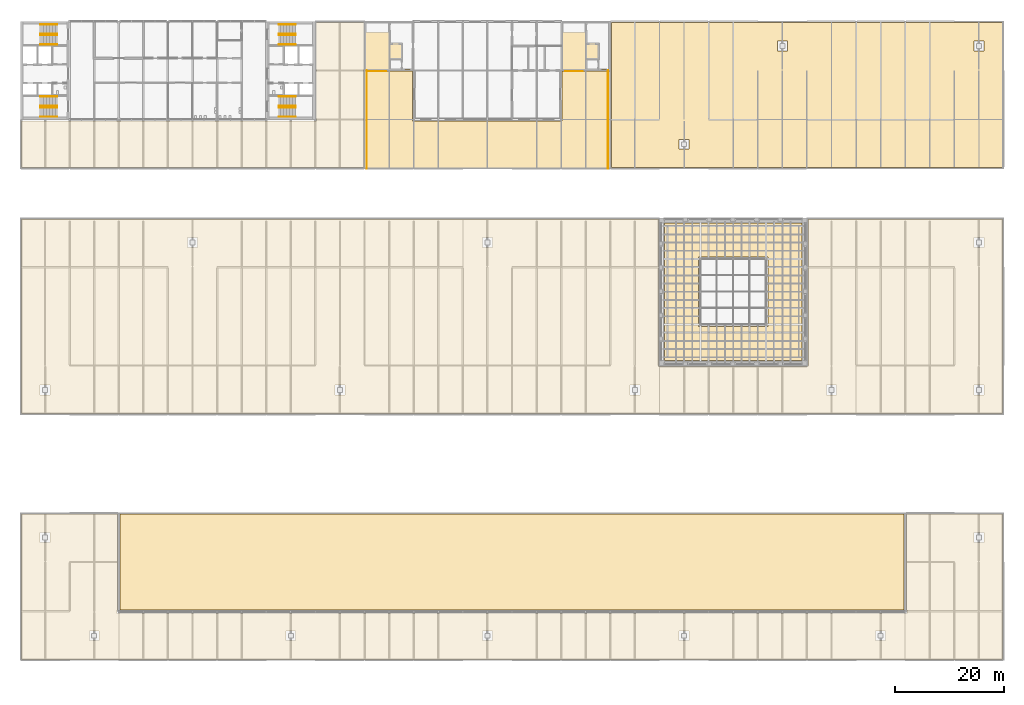
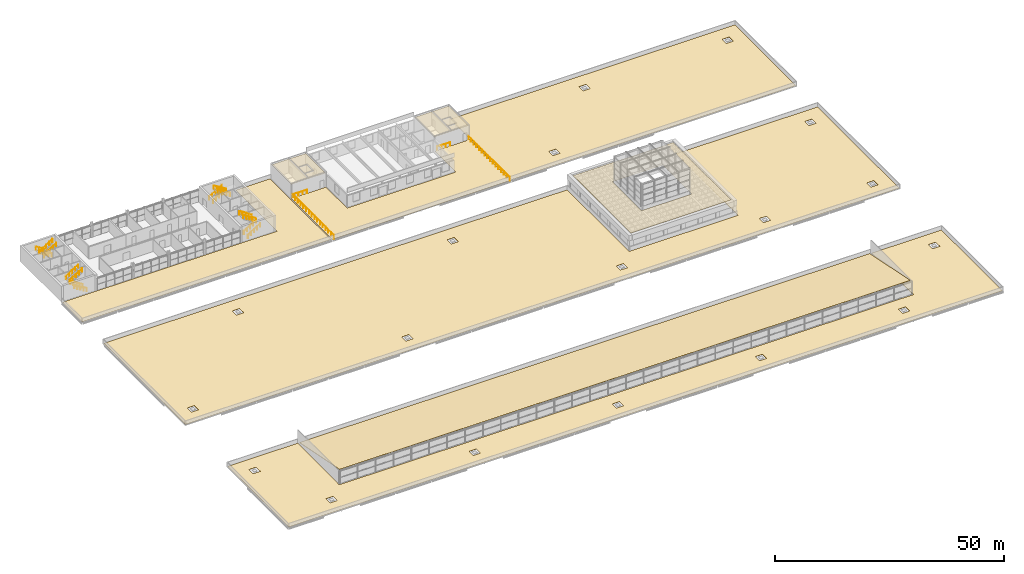
# One storey, part 49 of 50: 20 railings, 9 coverings.
"""IFC4 building model written with IfcOpenShell, lengths in metres."""

from ifc_helpers import new_model, si_unit, direction, frame, origin, origin_2d, place, context, subcontext, project, spatial, polyline, circle, outline, extrude, material, layer, layer_set, type_object, element, save


model = new_model("IFC4")

# Units and contexts
model_context = context("Model", 3, precision=1e-05, world=origin(), true_north=direction((0.0, 1.0)))
body_context = subcontext(model_context, "Body", "Model", "MODEL_VIEW")
ifc_project = project(units=[si_unit("LENGTHUNIT", "METRE"), si_unit("AREAUNIT", "SQUARE_METRE"), si_unit("VOLUMEUNIT", "CUBIC_METRE"), si_unit("PLANEANGLEUNIT", "RADIAN"), si_unit("MASSUNIT", "GRAM", prefix="KILO")], contexts=[model_context])

# Site, building, storey
site_placement = place(None, origin())
site = spatial("IfcSite", under=ifc_project, at=site_placement, CompositionType="ELEMENT")
building_placement = place(site_placement, origin())
building = spatial("IfcBuilding", under=site, at=building_placement, Name="Corbel Yard City Hall", CompositionType="ELEMENT")
storey_placement = place(building_placement, frame((0.0, 0.0, 15.0)))
storey = spatial("IfcBuildingStorey", under=building, at=storey_placement, Name="L03", CompositionType="ELEMENT", Elevation=15.0)

# Covering
ifc_material_1 = material(Name="Porcelain paving tiles", Category="ceramic")
ifc_layer_1 = layer(ifc_material_1, 0.0400390625)
ifc_layer_set_1 = layer_set([ifc_layer_1], Name="Porcelain paving tiles")
covering_type_1 = type_object("IfcCoveringType", Name="CL1", PredefinedType="FLOORING", material=ifc_layer_set_1)
covering_1_placement = place(storey_placement, origin())
element("IfcCovering", 1, at=covering_1_placement, inside=storey, type_object=covering_type_1, Name="Terrace paving", PredefinedType="FLOORING", context=body_context, shape_type="SweptSolid", body=[
    extrude(outline(polyline([(107.949951171875, 90.050048828125), (63.050048828125, 90.050048828125), (63.050048828125, 107.949951171875), (71.800048828125, 107.949951171875), (71.800048828125, 98.800048828125), (99.199951171875, 98.800048828125), (99.199951171875, 107.949951171875), (107.949951171875, 107.949951171875), (107.949951171875, 90.050048828125)])), origin(), (0.0, 0.0, 1.0), 0.0400390625),
])

# Railings
ifc_material_2 = material(Name="Stainless steel Grade 316", Category="steel")
railing_type_1 = type_object("IfcRailingType", Name="GD1", PredefinedType="GUARDRAIL", material=ifc_material_2)
railing_1_placement = place(storey_placement, frame((63.39990234375, 108.0, 0.0400390625)))
element("IfcRailing", 2, at=railing_1_placement, inside=storey, type_object=railing_type_1, Name="Terrace guard", PredefinedType="GUARDRAIL", context=body_context, shape_type="SweptSolid", body=[
    extrude(circle(Radius=0.02490234375, at=origin_2d()), frame((0.0, 0.0, 1.0751953125), z_axis=(0.0, -1.0, 0.0), x_axis=(1.0, 0.0, 0.0)), (0.0, 0.0, 1.0), 18.0),
    extrude(circle(Radius=0.02001953125, at=origin_2d()), origin(), (0.0, 0.0, 1.0), 1.050048828125),
    extrude(circle(Radius=0.02001953125, at=origin_2d()), frame((0.0, -1.199951171875, 0.0)), (0.0, 0.0, 1.0), 1.050048828125),
    extrude(circle(Radius=0.02001953125, at=origin_2d()), frame((0.0, -2.39990234375, 0.0)), (0.0, 0.0, 1.0), 1.050048828125),
    extrude(circle(Radius=0.02001953125, at=origin_2d()), frame((0.0, -3.60009765625, 0.0)), (0.0, 0.0, 1.0), 1.050048828125),
    extrude(circle(Radius=0.02001953125, at=origin_2d()), frame((0.0, -4.800048828125, 0.0)), (0.0, 0.0, 1.0), 1.050048828125),
    extrude(circle(Radius=0.02001953125, at=origin_2d()), frame((0.0, -6.0, 0.0)), (0.0, 0.0, 1.0), 1.050048828125),
    extrude(circle(Radius=0.02001953125, at=origin_2d()), frame((0.0, -7.199951171875, 0.0)), (0.0, 0.0, 1.0), 1.050048828125),
    extrude(circle(Radius=0.02001953125, at=origin_2d()), frame((0.0, -8.39990234375, 0.0)), (0.0, 0.0, 1.0), 1.050048828125),
    extrude(circle(Radius=0.02001953125, at=origin_2d()), frame((0.0, -9.60009765625, 0.0)), (0.0, 0.0, 1.0), 1.050048828125),
    extrude(circle(Radius=0.02001953125, at=origin_2d()), frame((0.0, -10.800048828125, 0.0)), (0.0, 0.0, 1.0), 1.050048828125),
    extrude(circle(Radius=0.02001953125, at=origin_2d()), frame((0.0, -12.0, 0.0)), (0.0, 0.0, 1.0), 1.050048828125),
    extrude(circle(Radius=0.02001953125, at=origin_2d()), frame((0.0, -13.199951171875, 0.0)), (0.0, 0.0, 1.0), 1.050048828125),
    extrude(circle(Radius=0.02001953125, at=origin_2d()), frame((0.0, -14.39990234375, 0.0)), (0.0, 0.0, 1.0), 1.050048828125),
    extrude(circle(Radius=0.02001953125, at=origin_2d()), frame((0.0, -15.60009765625, 0.0)), (0.0, 0.0, 1.0), 1.050048828125),
    extrude(circle(Radius=0.02001953125, at=origin_2d()), frame((0.0, -16.800048828125, 0.0)), (0.0, 0.0, 1.0), 1.050048828125),
    extrude(circle(Radius=0.02001953125, at=origin_2d()), frame((0.0, -18.0, 0.0)), (0.0, 0.0, 1.0), 1.050048828125),
])
railing_2_placement = place(storey_placement, frame((107.60009765625, 90.0, 0.0400390625)))
element("IfcRailing", 3, at=railing_2_placement, inside=storey, type_object=railing_type_1, Name="Terrace guard", PredefinedType="GUARDRAIL", context=body_context, shape_type="SweptSolid", body=[
    extrude(circle(Radius=0.02490234375, at=origin_2d()), frame((0.0, 0.0, 1.0751953125), z_axis=(0.0, 1.0, 0.0), x_axis=(-1.0, 0.0, 0.0)), (0.0, 0.0, 1.0), 18.0),
    extrude(circle(Radius=0.02001953125, at=origin_2d()), origin(), (0.0, 0.0, 1.0), 1.050048828125),
    extrude(circle(Radius=0.02001953125, at=origin_2d()), frame((0.0, 1.199951171875, 0.0)), (0.0, 0.0, 1.0), 1.050048828125),
    extrude(circle(Radius=0.02001953125, at=origin_2d()), frame((0.0, 2.39990234375, 0.0)), (0.0, 0.0, 1.0), 1.050048828125),
    extrude(circle(Radius=0.02001953125, at=origin_2d()), frame((0.0, 3.60009765625, 0.0)), (0.0, 0.0, 1.0), 1.050048828125),
    extrude(circle(Radius=0.02001953125, at=origin_2d()), frame((0.0, 4.800048828125, 0.0)), (0.0, 0.0, 1.0), 1.050048828125),
    extrude(circle(Radius=0.02001953125, at=origin_2d()), frame((0.0, 6.0, 0.0)), (0.0, 0.0, 1.0), 1.050048828125),
    extrude(circle(Radius=0.02001953125, at=origin_2d()), frame((0.0, 7.199951171875, 0.0)), (0.0, 0.0, 1.0), 1.050048828125),
    extrude(circle(Radius=0.02001953125, at=origin_2d()), frame((0.0, 8.39990234375, 0.0)), (0.0, 0.0, 1.0), 1.050048828125),
    extrude(circle(Radius=0.02001953125, at=origin_2d()), frame((0.0, 9.60009765625, 0.0)), (0.0, 0.0, 1.0), 1.050048828125),
    extrude(circle(Radius=0.02001953125, at=origin_2d()), frame((0.0, 10.800048828125, 0.0)), (0.0, 0.0, 1.0), 1.050048828125),
    extrude(circle(Radius=0.02001953125, at=origin_2d()), frame((0.0, 12.0, 0.0)), (0.0, 0.0, 1.0), 1.050048828125),
    extrude(circle(Radius=0.02001953125, at=origin_2d()), frame((0.0, 13.199951171875, 0.0)), (0.0, 0.0, 1.0), 1.050048828125),
    extrude(circle(Radius=0.02001953125, at=origin_2d()), frame((0.0, 14.39990234375, 0.0)), (0.0, 0.0, 1.0), 1.050048828125),
    extrude(circle(Radius=0.02001953125, at=origin_2d()), frame((0.0, 15.60009765625, 0.0)), (0.0, 0.0, 1.0), 1.050048828125),
    extrude(circle(Radius=0.02001953125, at=origin_2d()), frame((0.0, 16.800048828125, 0.0)), (0.0, 0.0, 1.0), 1.050048828125),
    extrude(circle(Radius=0.02001953125, at=origin_2d()), frame((0.0, 18.0, 0.0)), (0.0, 0.0, 1.0), 1.050048828125),
])
for number, where, name in (
    (4, (63.75, 107.85009765625, 0.0400390625), "Terrace guard"),
    (5, (99.75, 107.85009765625, 0.0400390625), "Terrace guard"),
):
    element("IfcRailing", number, at=place(storey_placement, frame(where)), inside=storey, type_object=railing_type_1, Name=name, PredefinedType="GUARDRAIL", context=body_context, shape_type="SweptSolid", body=[
        extrude(circle(Radius=0.02490234375, at=origin_2d()), frame((0.0, 0.0, 1.0751953125), z_axis=(1.0, 0.0, 0.0), x_axis=(0.0, 1.0, 0.0)), (0.0, 0.0, 1.0), 3.199951171875),
        extrude(circle(Radius=0.02001953125, at=origin_2d()), origin(), (0.0, 0.0, 1.0), 1.050048828125),
        extrude(circle(Radius=0.02001953125, at=origin_2d()), frame((1.066650390625, 0.0, 0.0)), (0.0, 0.0, 1.0), 1.050048828125),
        extrude(circle(Radius=0.02001953125, at=origin_2d()), frame((2.13330078125, 0.0, 0.0)), (0.0, 0.0, 1.0), 1.050048828125),
        extrude(circle(Radius=0.02001953125, at=origin_2d()), frame((3.199951171875, 0.0, 0.0)), (0.0, 0.0, 1.0), 1.050048828125),
    ])
railing_type_2 = type_object("IfcRailingType", Name="HR1", PredefinedType="HANDRAIL", material=ifc_material_2)
for number, where, name in (
    (6, (6.699951171875, 99.550048828125, 0.175048828125), "Exit stair ST-W1 handrail"),
    (7, (6.699951171875, 101.25, 0.175048828125), "Exit stair ST-W1 handrail"),
):
    element("IfcRailing", number, at=place(storey_placement, frame(where)), inside=storey, type_object=railing_type_2, Name=name, PredefinedType="HANDRAIL", context=body_context, shape_type="SweptSolid", body=[
        extrude(circle(Radius=0.02392578125, at=origin_2d()), frame((0.0, 0.0, 0.8759765625), z_axis=(-0.847979421464, 0.0, 0.530029150871), x_axis=(0.0, -1.0, 0.0)), (0.0, 0.0, 1.0), 3.632080078125),
        extrude(circle(Radius=0.02099609375, at=origin_2d()), origin(), (0.0, 0.0, 1.0), 0.851806640625),
        extrude(circle(Radius=0.02099609375, at=origin_2d()), frame((-0.77001953125, 0.0, 0.481201171875)), (0.0, 0.0, 1.0), 0.851806640625),
        extrude(circle(Radius=0.02099609375, at=origin_2d()), frame((-1.5400390625, 0.0, 0.96240234375)), (0.0, 0.0, 1.0), 0.851806640625),
        extrude(circle(Radius=0.02099609375, at=origin_2d()), frame((-2.309814453125, 0.0, 1.44384765625)), (0.0, 0.0, 1.0), 0.851806640625),
        extrude(circle(Radius=0.02099609375, at=origin_2d()), frame((-3.079833984375, 0.0, 1.925048828125)), (0.0, 0.0, 1.0), 0.851806640625),
    ])
for number, where, name in (
    (8, (3.6201171875, 101.550048828125, 2.27490234375), "Exit stair ST-W1 handrail"),
    (9, (3.6201171875, 103.25, 2.27490234375), "Exit stair ST-W1 handrail"),
):
    element("IfcRailing", number, at=place(storey_placement, frame(where)), inside=storey, type_object=railing_type_2, Name=name, PredefinedType="HANDRAIL", context=body_context, shape_type="SweptSolid", body=[
        extrude(circle(Radius=0.02392578125, at=origin_2d()), frame((0.0, 0.0, 0.8759765625), z_axis=(0.847979421464, 0.0, 0.530029150871), x_axis=(0.0, 1.0, 0.0)), (0.0, 0.0, 1.0), 3.632080078125),
        extrude(circle(Radius=0.02099609375, at=origin_2d()), origin(), (0.0, 0.0, 1.0), 0.851806640625),
        extrude(circle(Radius=0.02099609375, at=origin_2d()), frame((0.77001953125, 0.0, 0.481201171875)), (0.0, 0.0, 1.0), 0.851806640625),
        extrude(circle(Radius=0.02099609375, at=origin_2d()), frame((1.5400390625, 0.0, 0.96240234375)), (0.0, 0.0, 1.0), 0.851806640625),
        extrude(circle(Radius=0.02099609375, at=origin_2d()), frame((2.309814453125, 0.0, 1.44384765625)), (0.0, 0.0, 1.0), 0.851806640625),
        extrude(circle(Radius=0.02099609375, at=origin_2d()), frame((3.079833984375, 0.0, 1.925048828125)), (0.0, 0.0, 1.0), 0.851806640625),
    ])
for number, where, name in (
    (10, (6.699951171875, 116.449951171875, 0.175048828125), "Exit stair ST-W2 handrail"),
    (11, (6.699951171875, 114.75, 0.175048828125), "Exit stair ST-W2 handrail"),
):
    element("IfcRailing", number, at=place(storey_placement, frame(where)), inside=storey, type_object=railing_type_2, Name=name, PredefinedType="HANDRAIL", context=body_context, shape_type="SweptSolid", body=[
        extrude(circle(Radius=0.02392578125, at=origin_2d()), frame((0.0, 0.0, 0.8759765625), z_axis=(-0.847979421464, 0.0, 0.530029150871), x_axis=(0.0, -1.0, 0.0)), (0.0, 0.0, 1.0), 3.632080078125),
        extrude(circle(Radius=0.02099609375, at=origin_2d()), origin(), (0.0, 0.0, 1.0), 0.851806640625),
        extrude(circle(Radius=0.02099609375, at=origin_2d()), frame((-0.77001953125, 0.0, 0.481201171875)), (0.0, 0.0, 1.0), 0.851806640625),
        extrude(circle(Radius=0.02099609375, at=origin_2d()), frame((-1.5400390625, 0.0, 0.96240234375)), (0.0, 0.0, 1.0), 0.851806640625),
        extrude(circle(Radius=0.02099609375, at=origin_2d()), frame((-2.309814453125, 0.0, 1.44384765625)), (0.0, 0.0, 1.0), 0.851806640625),
        extrude(circle(Radius=0.02099609375, at=origin_2d()), frame((-3.079833984375, 0.0, 1.925048828125)), (0.0, 0.0, 1.0), 0.851806640625),
    ])
for number, where, name in (
    (12, (3.6201171875, 114.449951171875, 2.27490234375), "Exit stair ST-W2 handrail"),
    (13, (3.6201171875, 112.75, 2.27490234375), "Exit stair ST-W2 handrail"),
    (14, (47.300048828125, 99.550048828125, 0.175048828125), "Exit stair ST-E1 handrail"),
    (15, (47.300048828125, 101.25, 0.175048828125), "Exit stair ST-E1 handrail"),
):
    element("IfcRailing", number, at=place(storey_placement, frame(where)), inside=storey, type_object=railing_type_2, Name=name, PredefinedType="HANDRAIL", context=body_context, shape_type="SweptSolid", body=[
        extrude(circle(Radius=0.02392578125, at=origin_2d()), frame((0.0, 0.0, 0.8759765625), z_axis=(0.847979421464, 0.0, 0.530029150871), x_axis=(0.0, 1.0, 0.0)), (0.0, 0.0, 1.0), 3.632080078125),
        extrude(circle(Radius=0.02099609375, at=origin_2d()), origin(), (0.0, 0.0, 1.0), 0.851806640625),
        extrude(circle(Radius=0.02099609375, at=origin_2d()), frame((0.77001953125, 0.0, 0.481201171875)), (0.0, 0.0, 1.0), 0.851806640625),
        extrude(circle(Radius=0.02099609375, at=origin_2d()), frame((1.5400390625, 0.0, 0.96240234375)), (0.0, 0.0, 1.0), 0.851806640625),
        extrude(circle(Radius=0.02099609375, at=origin_2d()), frame((2.309814453125, 0.0, 1.44384765625)), (0.0, 0.0, 1.0), 0.851806640625),
        extrude(circle(Radius=0.02099609375, at=origin_2d()), frame((3.079833984375, 0.0, 1.925048828125)), (0.0, 0.0, 1.0), 0.851806640625),
    ])
for number, where, name in (
    (16, (50.3798828125, 101.550048828125, 2.27490234375), "Exit stair ST-E1 handrail"),
    (17, (50.3798828125, 103.25, 2.27490234375), "Exit stair ST-E1 handrail"),
):
    element("IfcRailing", number, at=place(storey_placement, frame(where)), inside=storey, type_object=railing_type_2, Name=name, PredefinedType="HANDRAIL", context=body_context, shape_type="SweptSolid", body=[
        extrude(circle(Radius=0.02392578125, at=origin_2d()), frame((0.0, 0.0, 0.8759765625), z_axis=(-0.847979421464, 0.0, 0.530029150871), x_axis=(0.0, -1.0, 0.0)), (0.0, 0.0, 1.0), 3.632080078125),
        extrude(circle(Radius=0.02099609375, at=origin_2d()), origin(), (0.0, 0.0, 1.0), 0.851806640625),
        extrude(circle(Radius=0.02099609375, at=origin_2d()), frame((-0.77001953125, 0.0, 0.481201171875)), (0.0, 0.0, 1.0), 0.851806640625),
        extrude(circle(Radius=0.02099609375, at=origin_2d()), frame((-1.5400390625, 0.0, 0.96240234375)), (0.0, 0.0, 1.0), 0.851806640625),
        extrude(circle(Radius=0.02099609375, at=origin_2d()), frame((-2.309814453125, 0.0, 1.44384765625)), (0.0, 0.0, 1.0), 0.851806640625),
        extrude(circle(Radius=0.02099609375, at=origin_2d()), frame((-3.079833984375, 0.0, 1.925048828125)), (0.0, 0.0, 1.0), 0.851806640625),
    ])
for number, where, name in (
    (18, (47.300048828125, 116.449951171875, 0.175048828125), "Exit stair ST-E2 handrail"),
    (19, (47.300048828125, 114.75, 0.175048828125), "Exit stair ST-E2 handrail"),
):
    element("IfcRailing", number, at=place(storey_placement, frame(where)), inside=storey, type_object=railing_type_2, Name=name, PredefinedType="HANDRAIL", context=body_context, shape_type="SweptSolid", body=[
        extrude(circle(Radius=0.02392578125, at=origin_2d()), frame((0.0, 0.0, 0.8759765625), z_axis=(0.847979421464, 0.0, 0.530029150871), x_axis=(0.0, 1.0, 0.0)), (0.0, 0.0, 1.0), 3.632080078125),
        extrude(circle(Radius=0.02099609375, at=origin_2d()), origin(), (0.0, 0.0, 1.0), 0.851806640625),
        extrude(circle(Radius=0.02099609375, at=origin_2d()), frame((0.77001953125, 0.0, 0.481201171875)), (0.0, 0.0, 1.0), 0.851806640625),
        extrude(circle(Radius=0.02099609375, at=origin_2d()), frame((1.5400390625, 0.0, 0.96240234375)), (0.0, 0.0, 1.0), 0.851806640625),
        extrude(circle(Radius=0.02099609375, at=origin_2d()), frame((2.309814453125, 0.0, 1.44384765625)), (0.0, 0.0, 1.0), 0.851806640625),
        extrude(circle(Radius=0.02099609375, at=origin_2d()), frame((3.079833984375, 0.0, 1.925048828125)), (0.0, 0.0, 1.0), 0.851806640625),
    ])
for number, where, name in (
    (20, (50.3798828125, 114.449951171875, 2.27490234375), "Exit stair ST-E2 handrail"),
    (21, (50.3798828125, 112.75, 2.27490234375), "Exit stair ST-E2 handrail"),
):
    element("IfcRailing", number, at=place(storey_placement, frame(where)), inside=storey, type_object=railing_type_2, Name=name, PredefinedType="HANDRAIL", context=body_context, shape_type="SweptSolid", body=[
        extrude(circle(Radius=0.02392578125, at=origin_2d()), frame((0.0, 0.0, 0.8759765625), z_axis=(-0.847979421464, 0.0, 0.530029150871), x_axis=(0.0, -1.0, 0.0)), (0.0, 0.0, 1.0), 3.632080078125),
        extrude(circle(Radius=0.02099609375, at=origin_2d()), origin(), (0.0, 0.0, 1.0), 0.851806640625),
        extrude(circle(Radius=0.02099609375, at=origin_2d()), frame((-0.77001953125, 0.0, 0.481201171875)), (0.0, 0.0, 1.0), 0.851806640625),
        extrude(circle(Radius=0.02099609375, at=origin_2d()), frame((-1.5400390625, 0.0, 0.96240234375)), (0.0, 0.0, 1.0), 0.851806640625),
        extrude(circle(Radius=0.02099609375, at=origin_2d()), frame((-2.309814453125, 0.0, 1.44384765625)), (0.0, 0.0, 1.0), 0.851806640625),
        extrude(circle(Radius=0.02099609375, at=origin_2d()), frame((-3.079833984375, 0.0, 1.925048828125)), (0.0, 0.0, 1.0), 0.851806640625),
    ])

# Coverings
ifc_material_3 = material(Name="Bituminous membrane", Category="membrane")
ifc_layer_2 = layer(ifc_material_3, 0.0400390625)
ifc_layer_set_2 = layer_set([ifc_layer_2], Name="Bituminous membrane")
covering_type_2 = type_object("IfcCoveringType", Name="RF1", PredefinedType="ROOFING", material=ifc_layer_set_2)
covering_2_placement = place(storey_placement, origin())
element("IfcCovering", 22, at=covering_2_placement, inside=storey, type_object=covering_type_2, Name="Roofing membrane", PredefinedType="ROOFING", context=body_context, shape_type="SweptSolid", body=[
    extrude(outline(polyline([(17.800048828125, 9.199951171875), (17.699951171875, 9.199951171875), (17.699951171875, 8.60009765625), (162.300048828125, 8.60009765625), (162.300048828125, 9.199951171875), (162.199951171875, 9.199951171875), (162.199951171875, 26.800048828125), (179.800048828125, 26.800048828125), (179.800048828125, 0.199951171875), (0.199951171875, 0.199951171875), (0.199951171875, 26.800048828125), (17.800048828125, 26.800048828125), (17.800048828125, 9.199951171875)]), holes=[polyline([(12.60009765625, 5.39990234375), (12.60009765625, 3.60009765625), (14.39990234375, 3.60009765625), (14.39990234375, 5.39990234375), (12.60009765625, 5.39990234375)]), polyline([(48.60009765625, 5.39990234375), (48.60009765625, 3.60009765625), (50.39990234375, 3.60009765625), (50.39990234375, 5.39990234375), (48.60009765625, 5.39990234375)]), polyline([(84.60009765625, 5.39990234375), (84.60009765625, 3.60009765625), (86.39990234375, 3.60009765625), (86.39990234375, 5.39990234375), (84.60009765625, 5.39990234375)]), polyline([(5.39990234375, 23.39990234375), (3.60009765625, 23.39990234375), (3.60009765625, 21.60009765625), (5.39990234375, 21.60009765625), (5.39990234375, 23.39990234375)]), polyline([(120.60009765625, 5.39990234375), (120.60009765625, 3.60009765625), (122.39990234375, 3.60009765625), (122.39990234375, 5.39990234375), (120.60009765625, 5.39990234375)]), polyline([(156.60009765625, 5.39990234375), (156.60009765625, 3.60009765625), (158.39990234375, 3.60009765625), (158.39990234375, 5.39990234375), (156.60009765625, 5.39990234375)]), polyline([(174.60009765625, 23.39990234375), (174.60009765625, 21.60009765625), (176.39990234375, 21.60009765625), (176.39990234375, 23.39990234375), (174.60009765625, 23.39990234375)])]), origin(), (0.0, 0.0, 1.0), 0.0400390625),
])
covering_3_placement = place(storey_placement, origin())
element("IfcCovering", 23, at=covering_3_placement, inside=storey, type_object=covering_type_2, Name="Roofing membrane", PredefinedType="ROOFING", context=body_context, shape_type="SweptSolid", body=[
    extrude(outline(polyline([(144.199951171875, 80.800048828125), (179.800048828125, 80.800048828125), (179.800048828125, 45.199951171875), (0.199951171875, 45.199951171875), (0.199951171875, 80.800048828125), (116.800048828125, 80.800048828125), (116.800048828125, 53.800048828125), (144.199951171875, 53.800048828125), (144.199951171875, 80.800048828125)]), holes=[polyline([(3.60009765625, 50.39990234375), (3.60009765625, 48.60009765625), (5.39990234375, 48.60009765625), (5.39990234375, 50.39990234375), (3.60009765625, 50.39990234375)]), polyline([(57.60009765625, 50.39990234375), (57.60009765625, 48.60009765625), (59.39990234375, 48.60009765625), (59.39990234375, 50.39990234375), (57.60009765625, 50.39990234375)]), polyline([(30.60009765625, 77.39990234375), (30.60009765625, 75.60009765625), (32.39990234375, 75.60009765625), (32.39990234375, 77.39990234375), (30.60009765625, 77.39990234375)]), polyline([(86.39990234375, 77.39990234375), (84.60009765625, 77.39990234375), (84.60009765625, 75.60009765625), (86.39990234375, 75.60009765625), (86.39990234375, 77.39990234375)]), polyline([(113.39990234375, 50.39990234375), (111.60009765625, 50.39990234375), (111.60009765625, 48.60009765625), (113.39990234375, 48.60009765625), (113.39990234375, 50.39990234375)]), polyline([(149.39990234375, 50.39990234375), (147.60009765625, 50.39990234375), (147.60009765625, 48.60009765625), (149.39990234375, 48.60009765625), (149.39990234375, 50.39990234375)]), polyline([(174.60009765625, 50.39990234375), (174.60009765625, 48.60009765625), (176.39990234375, 48.60009765625), (176.39990234375, 50.39990234375), (174.60009765625, 50.39990234375)]), polyline([(174.60009765625, 77.39990234375), (174.60009765625, 75.60009765625), (176.39990234375, 75.60009765625), (176.39990234375, 77.39990234375), (174.60009765625, 77.39990234375)])]), origin(), (0.0, 0.0, 1.0), 0.0400390625),
])
covering_4_placement = place(storey_placement, origin())
element("IfcCovering", 24, at=covering_4_placement, inside=storey, type_object=covering_type_2, Name="Roofing membrane", PredefinedType="ROOFING", context=body_context, shape_type="SweptSolid", body=[
    extrude(outline(polyline([(62.800048828125, 116.800048828125), (62.800048828125, 90.199951171875), (0.199951171875, 90.199951171875), (0.199951171875, 98.800048828125), (54.199951171875, 98.800048828125), (54.199951171875, 116.800048828125), (62.800048828125, 116.800048828125)])), origin(), (0.0, 0.0, 1.0), 0.0400390625),
])
covering_5_placement = place(storey_placement, origin())
element("IfcCovering", 25, at=covering_5_placement, inside=storey, type_object=covering_type_2, Name="Roofing membrane", PredefinedType="ROOFING", context=body_context, shape_type="SweptSolid", body=[
    extrude(outline(polyline([(108.199951171875, 90.199951171875), (108.199951171875, 116.800048828125), (179.800048828125, 116.800048828125), (179.800048828125, 90.199951171875), (108.199951171875, 90.199951171875)]), holes=[polyline([(120.60009765625, 95.39990234375), (120.60009765625, 93.60009765625), (122.39990234375, 93.60009765625), (122.39990234375, 95.39990234375), (120.60009765625, 95.39990234375)]), polyline([(140.39990234375, 113.39990234375), (138.60009765625, 113.39990234375), (138.60009765625, 111.60009765625), (140.39990234375, 111.60009765625), (140.39990234375, 113.39990234375)]), polyline([(176.39990234375, 113.39990234375), (174.60009765625, 113.39990234375), (174.60009765625, 111.60009765625), (176.39990234375, 111.60009765625), (176.39990234375, 113.39990234375)])]), origin(), (0.0, 0.0, 1.0), 0.0400390625),
])
covering_6_placement = place(storey_placement, frame((0.0, 0.0, 3.60009765625)))
element("IfcCovering", 26, at=covering_6_placement, inside=storey, type_object=covering_type_2, Name="Roofing membrane", PredefinedType="ROOFING", context=body_context, shape_type="SweptSolid", body=[
    extrude(outline(polyline([(71.800048828125, 108.199951171875), (63.199951171875, 108.199951171875), (63.199951171875, 116.800048828125), (71.800048828125, 116.800048828125), (71.800048828125, 108.199951171875)])), origin(), (0.0, 0.0, 1.0), 0.039794921875),
])
covering_7_placement = place(storey_placement, frame((0.0, 0.0, 3.60009765625)))
element("IfcCovering", 27, at=covering_7_placement, inside=storey, type_object=covering_type_2, Name="Roofing membrane", PredefinedType="ROOFING", context=body_context, shape_type="SweptSolid", body=[
    extrude(outline(polyline([(107.800048828125, 108.199951171875), (99.199951171875, 108.199951171875), (99.199951171875, 116.800048828125), (107.800048828125, 116.800048828125), (107.800048828125, 108.199951171875)])), origin(), (0.0, 0.0, 1.0), 0.039794921875),
])
covering_8_placement = place(storey_placement, frame((0.0, 0.0, 3.800048828125)))
element("IfcCovering", 28, at=covering_8_placement, inside=storey, type_object=covering_type_2, Name="Roofing membrane", PredefinedType="ROOFING", context=body_context, shape_type="SweptSolid", body=[
    extrude(outline(polyline([(117.89990234375, 54.89990234375), (117.89990234375, 80.10009765625), (143.10009765625, 80.10009765625), (143.10009765625, 54.89990234375), (117.89990234375, 54.89990234375)]), holes=[polyline([(136.85009765625, 73.85009765625), (124.14990234375, 73.85009765625), (124.14990234375, 61.14990234375), (136.85009765625, 61.14990234375), (136.85009765625, 73.85009765625)])]), origin(), (0.0, 0.0, 1.0), 0.0400390625),
])
covering_9_placement = place(storey_placement, frame((18.199951171875, 9.199951171875, 3.600830078125), z_axis=(0.0, 0.196116135138, 0.980580675691), x_axis=(1.0, 0.0, 0.0)))
element("IfcCovering", 29, at=covering_9_placement, inside=storey, type_object=covering_type_2, Name="Roofing membrane", PredefinedType="ROOFING", context=body_context, shape_type="SweptSolid", body=[
    extrude(outline(polyline([(0.0, 0.0), (143.60009765625, 0.0), (143.60009765625, 17.948648278071477), (0.0, 17.948648278071477), (0.0, 0.0)])), origin(), (0.0, 0.0, -1.0), 0.0400390625),
])

save(model, "model.ifc")
